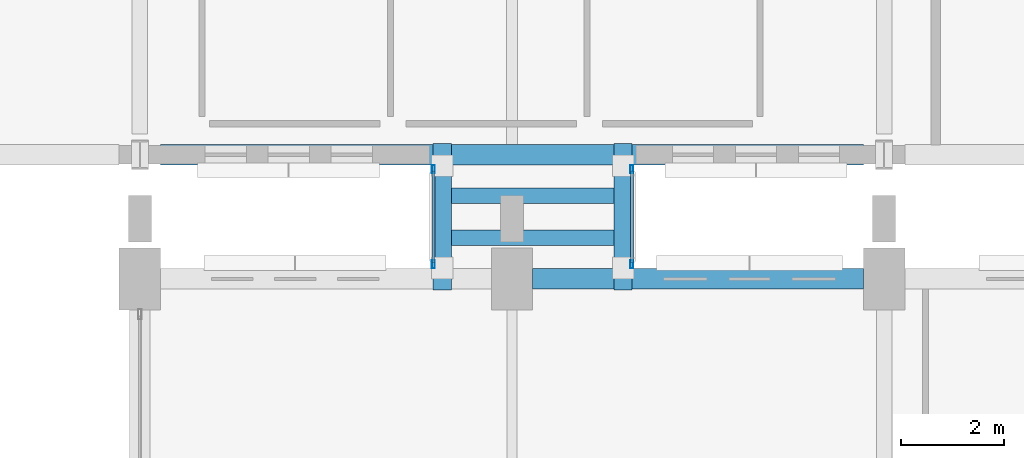
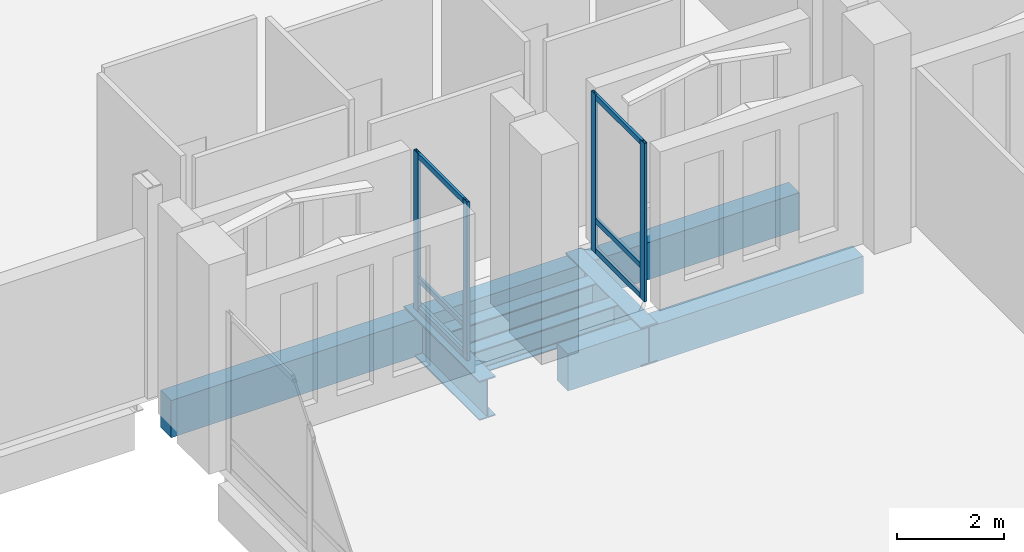
# One storey, part 109 of 220: 10 members, 6 beams, 2 elements without a shape of their own.
"""IFC4 building model written with IfcOpenShell, lengths in metres."""

from ifc_helpers import new_model, si_unit, direction, frame, origin, origin_2d, place, context, subcontext, project, spatial, rectangle, hollow_rectangle, i_section, extrude, material, material_profile, profile_set, type_object, element, aggregate, save


model = new_model("IFC4")

# Units and contexts
model_context = context("Model", 3, precision=1e-05, world=origin(), true_north=direction((0.0, 1.0)))
body_context = subcontext(model_context, "Body", "Model", "MODEL_VIEW")
ifc_project = project(units=[si_unit("LENGTHUNIT", "METRE"), si_unit("AREAUNIT", "SQUARE_METRE"), si_unit("VOLUMEUNIT", "CUBIC_METRE"), si_unit("PLANEANGLEUNIT", "RADIAN"), si_unit("MASSUNIT", "GRAM", prefix="KILO")], contexts=[model_context])

# Site, building, storey
site_placement = place(None, origin())
site = spatial("IfcSite", under=ifc_project, at=site_placement, CompositionType="ELEMENT")
building_placement = place(site_placement, origin())
building = spatial("IfcBuilding", under=site, at=building_placement, Name="Cendralis Lancet Convention Centre", CompositionType="ELEMENT")
storey_placement = place(building_placement, frame((0.0, 0.0, 5.39990234375)))
storey = spatial("IfcBuildingStorey", under=building, at=storey_placement, Name="L01", CompositionType="ELEMENT", Elevation=5.39990234375)

# Curtain wall, members
ifc_material_1 = material(Name="Anodised bronze architectural aluminium", Category="aluminium")
curtain_wall_type = type_object("IfcCurtainWallType", Name="ARC-CW-BR01", PredefinedType="USERDEFINED", material=ifc_material_1)
curtain_wall_1_placement = place(storey_placement, origin())
curtain_wall_1 = element("IfcCurtainWall", 1, at=curtain_wall_1_placement, inside=storey, type_object=curtain_wall_type, Name="L01 Curtain Wall CW-BR1 #197", ObjectType="CURTAIN WALL", PredefinedType="USERDEFINED")
ifc_material_profile_1 = material_profile(ifc_material_1, hollow_rectangle(XDim=0.06005859375, YDim=0.159912109375, WallThickness=0.00390625, at=origin_2d()), Name="AL-MULL 60x160x4.0")
ifc_profile_set_1 = profile_set([ifc_material_profile_1], Name="Anodised bronze architectural aluminium")
member_type_1 = type_object("IfcMemberType", Name="ARC-CW-ML01", PredefinedType="MULLION", material=ifc_profile_set_1)
member_1_placement = place(storey_placement, frame((144.8798828125, 91.47998046875, 0.0), z_axis=(0.0, 0.0, 1.0), x_axis=(1.0, 0.0, 0.0)))
member_1 = element("IfcMember", 2, at=member_1_placement, type_object=member_type_1, Name="Mullion CW2-CW-BR1-L01-197-M0", PredefinedType="MULLION", context=body_context, shape_type="SweptSolid", body=[
    extrude(hollow_rectangle(XDim=0.06005859375, YDim=0.159912109375, WallThickness=0.00390625, at=origin_2d()), origin(), (0.0, 0.0, 1.0), 3.635009765625),
])
member_2_placement = place(storey_placement, frame((144.8798828125, 93.320068359375, 0.0), z_axis=(0.0, 0.0, 1.0), x_axis=(1.0, 0.0, 0.0)))
member_2 = element("IfcMember", 3, at=member_2_placement, type_object=member_type_1, Name="Mullion CW2-CW-BR1-L01-197-M1", PredefinedType="MULLION", context=body_context, shape_type="SweptSolid", body=[
    extrude(hollow_rectangle(XDim=0.06005859375, YDim=0.159912109375, WallThickness=0.00390625, at=origin_2d()), origin(), (0.0, 0.0, 1.0), 3.635009765625),
])

curtain_wall_2_placement = place(storey_placement, origin())
curtain_wall_2 = element("IfcCurtainWall", 4, at=curtain_wall_2_placement, inside=storey, type_object=curtain_wall_type, Name="L01 Curtain Wall CW-BR1 #198", ObjectType="CURTAIN WALL", PredefinedType="USERDEFINED")
member_3_placement = place(storey_placement, frame((148.719970703125, 91.47998046875, 0.0), z_axis=(0.0, 0.0, 1.0), x_axis=(1.0, 0.0, 0.0)))
member_3 = element("IfcMember", 5, at=member_3_placement, type_object=member_type_1, Name="Mullion CW2-CW-BR1-L01-198-M0", PredefinedType="MULLION", context=body_context, shape_type="SweptSolid", body=[
    extrude(hollow_rectangle(XDim=0.06005859375, YDim=0.159912109375, WallThickness=0.00390625, at=origin_2d()), origin(), (0.0, 0.0, 1.0), 3.635009765625),
])
member_4_placement = place(storey_placement, frame((148.719970703125, 93.320068359375, 0.0), z_axis=(0.0, 0.0, 1.0), x_axis=(1.0, 0.0, 0.0)))
member_4 = element("IfcMember", 6, at=member_4_placement, type_object=member_type_1, Name="Mullion CW2-CW-BR1-L01-198-M1", PredefinedType="MULLION", context=body_context, shape_type="SweptSolid", body=[
    extrude(hollow_rectangle(XDim=0.06005859375, YDim=0.159912109375, WallThickness=0.00390625, at=origin_2d()), origin(), (0.0, 0.0, 1.0), 3.635009765625),
])

# Member
ifc_material_profile_2 = material_profile(ifc_material_1, hollow_rectangle(XDim=0.06005859375, YDim=0.1201171875, WallThickness=0.00390625, at=origin_2d()), Name="AL-TRAN 60x120x4.0")
ifc_profile_set_2 = profile_set([ifc_material_profile_2], Name="Anodised bronze architectural aluminium")
member_type_2 = type_object("IfcMemberType", Name="ARC-CW-TR01", PredefinedType="USERDEFINED", material=ifc_profile_set_2)
member_5_placement = place(storey_placement, frame((144.8798828125, 91.510009765625, 0.06005859375), z_axis=(0.0, 1.0, 0.0), x_axis=(-1.0, 0.0, 0.0)))
member_5 = element("IfcMember", 7, at=member_5_placement, type_object=member_type_2, Name="Transom CW2-CW-BR1-L01-197-T0BOT", ObjectType="TRANSOM", PredefinedType="USERDEFINED", context=body_context, shape_type="SweptSolid", body=[
    extrude(hollow_rectangle(XDim=0.06005859375, YDim=0.1201171875, WallThickness=0.00390625, at=origin_2d()), origin(), (0.0, 0.0, 1.0), 1.780029296875),
])

member_6_placement = place(storey_placement, frame((144.8798828125, 91.510009765625, 0.75), z_axis=(0.0, 1.0, 0.0), x_axis=(-1.0, 0.0, 0.0)))
member_6 = element("IfcMember", 8, at=member_6_placement, type_object=member_type_2, Name="Transom CW2-CW-BR1-L01-197-T0MID", ObjectType="TRANSOM", PredefinedType="USERDEFINED", context=body_context, shape_type="SweptSolid", body=[
    extrude(hollow_rectangle(XDim=0.06005859375, YDim=0.1201171875, WallThickness=0.00390625, at=origin_2d()), origin(), (0.0, 0.0, 1.0), 1.780029296875),
])

member_7_placement = place(storey_placement, frame((144.8798828125, 91.510009765625, 3.5751953125), z_axis=(0.0, 1.0, 0.0), x_axis=(-1.0, 0.0, 0.0)))
member_7 = element("IfcMember", 9, at=member_7_placement, type_object=member_type_2, Name="Transom CW2-CW-BR1-L01-197-T0TOP", ObjectType="TRANSOM", PredefinedType="USERDEFINED", context=body_context, shape_type="SweptSolid", body=[
    extrude(hollow_rectangle(XDim=0.06005859375, YDim=0.1201171875, WallThickness=0.00390625, at=origin_2d()), origin(), (0.0, 0.0, 1.0), 1.780029296875),
])

aggregate(curtain_wall_1, [member_1, member_2, member_5, member_6, member_7])

member_8_placement = place(storey_placement, frame((148.719970703125, 91.510009765625, 0.06005859375), z_axis=(0.0, 1.0, 0.0), x_axis=(-1.0, 0.0, 0.0)))
member_8 = element("IfcMember", 10, at=member_8_placement, type_object=member_type_2, Name="Transom CW2-CW-BR1-L01-198-T0BOT", ObjectType="TRANSOM", PredefinedType="USERDEFINED", context=body_context, shape_type="SweptSolid", body=[
    extrude(hollow_rectangle(XDim=0.06005859375, YDim=0.1201171875, WallThickness=0.00390625, at=origin_2d()), origin(), (0.0, 0.0, 1.0), 1.780029296875),
])

member_9_placement = place(storey_placement, frame((148.719970703125, 91.510009765625, 0.75), z_axis=(0.0, 1.0, 0.0), x_axis=(-1.0, 0.0, 0.0)))
member_9 = element("IfcMember", 11, at=member_9_placement, type_object=member_type_2, Name="Transom CW2-CW-BR1-L01-198-T0MID", ObjectType="TRANSOM", PredefinedType="USERDEFINED", context=body_context, shape_type="SweptSolid", body=[
    extrude(hollow_rectangle(XDim=0.06005859375, YDim=0.1201171875, WallThickness=0.00390625, at=origin_2d()), origin(), (0.0, 0.0, 1.0), 1.780029296875),
])

member_10_placement = place(storey_placement, frame((148.719970703125, 91.510009765625, 3.5751953125), z_axis=(0.0, 1.0, 0.0), x_axis=(-1.0, 0.0, 0.0)))
member_10 = element("IfcMember", 12, at=member_10_placement, type_object=member_type_2, Name="Transom CW2-CW-BR1-L01-198-T0TOP", ObjectType="TRANSOM", PredefinedType="USERDEFINED", context=body_context, shape_type="SweptSolid", body=[
    extrude(hollow_rectangle(XDim=0.06005859375, YDim=0.1201171875, WallThickness=0.00390625, at=origin_2d()), origin(), (0.0, 0.0, 1.0), 1.780029296875),
])

aggregate(curtain_wall_2, [member_3, member_4, member_8, member_9, member_10])

# Beams
ifc_material_2 = material(Name="Steel S355", Category="steel")
ifc_material_profile_3 = material_profile(ifc_material_2, i_section(OverallWidth=0.35009765625, OverallDepth=0.89990234375, WebThickness=0.01611328125, FlangeThickness=0.028076171875, at=origin_2d()), Name="PG 900x350")
ifc_profile_set_3 = profile_set([ifc_material_profile_3], Name="Steel S355")
beam_type_1 = type_object("IfcBeamType", Name="STR-BM-SG05", PredefinedType="BEAM", material=ifc_profile_set_3)
for number, where, z_axis, x_axis, name in (
    (13, (145.050048828125, 90.97998046875, -0.669921875), (0.0, 1.0, 0.0), (-1.0, 0.0, 0.0), "L01 Beam SG05 #1888"),
    (14, (148.550048828125, 90.97998046875, -0.669921875), (0.0, 1.0, 0.0), (-1.0, 0.0, 0.0), "L01 Beam SG05 #1889"),
):
    element("IfcBeam", number, at=place(storey_placement, frame(where, z_axis=z_axis, x_axis=x_axis)), inside=storey, type_object=beam_type_1, Name=name, PredefinedType="BEAM", context=body_context, shape_type="SweptSolid", body=[
        extrude(i_section(OverallWidth=0.35009765625, OverallDepth=0.89990234375, WebThickness=0.01611328125, FlangeThickness=0.028076171875, at=origin_2d()), origin(), (0.0, 0.0, 1.0), 2.840087890625),
    ])
ifc_material_profile_4 = material_profile(ifc_material_2, i_section(OverallWidth=0.300048828125, OverallDepth=0.5400390625, WebThickness=0.012451171875, FlangeThickness=0.02392578125, FilletRadius=0.027099609375, at=origin_2d()), Name="HEA 550")
ifc_profile_set_4 = profile_set([ifc_material_profile_4], Name="Steel S355")
beam_type_2 = type_object("IfcBeamType", Name="STR-BM-SG11", PredefinedType="BEAM", material=ifc_profile_set_4)
for number, where, z_axis, x_axis, name in (
    (15, (145.22998046875, 91.991943359375, -0.489990234375), (1.0, 0.0, 0.0), (0.0, 1.0, 0.0), "L01 Beam SG11 #1890"),
    (16, (145.22998046875, 92.80810546875, -0.489990234375), (1.0, 0.0, 0.0), (0.0, 1.0, 0.0), "L01 Beam SG11 #1891"),
):
    element("IfcBeam", number, at=place(storey_placement, frame(where, z_axis=z_axis, x_axis=x_axis)), inside=storey, type_object=beam_type_2, Name=name, PredefinedType="BEAM", context=body_context, shape_type="SweptSolid", body=[
        extrude(i_section(OverallWidth=0.300048828125, OverallDepth=0.5400390625, WebThickness=0.012451171875, FlangeThickness=0.02392578125, FilletRadius=0.027099609375, at=origin_2d()), origin(), (0.0, 0.0, 1.0), 3.14013671875),
    ])
ifc_material_3 = material(Name="Concrete G40 (C40/50)", Category="concrete")
ifc_material_profile_5 = material_profile(ifc_material_3, rectangle(XDim=0.39990234375, YDim=0.85009765625, at=origin_2d()), Name="RCB 400x850")
ifc_profile_set_5 = profile_set([ifc_material_profile_5], Name="Concrete G40 (C40/50)")
beam_type_3 = type_object("IfcBeamType", Name="STR-SP-SP02", PredefinedType="SPANDREL", material=ifc_profile_set_5)
beam_1_placement = place(storey_placement, frame((146.800048828125, 91.199951171875, -0.704833984375), z_axis=(1.0, 0.0, 0.0), x_axis=(0.0, 1.0, 0.0)))
element("IfcBeam", 17, at=beam_1_placement, inside=storey, type_object=beam_type_3, Name="L01 Beam SP02 #1404", PredefinedType="SPANDREL", context=body_context, shape_type="SweptSolid", body=[
    extrude(rectangle(XDim=0.39990234375, YDim=0.85009765625, at=origin_2d()), origin(), (0.0, 0.0, 1.0), 6.39990234375),
])
beam_2_placement = place(storey_placement, frame((139.60009765625, 93.60009765625, -0.704833984375), z_axis=(1.0, 0.0, 0.0), x_axis=(0.0, 1.0, 0.0)))
element("IfcBeam", 18, at=beam_2_placement, inside=storey, type_object=beam_type_3, Name="L01 Beam SP02 #1640", PredefinedType="SPANDREL", context=body_context, shape_type="SweptSolid", body=[
    extrude(rectangle(XDim=0.39990234375, YDim=0.85009765625, at=origin_2d()), origin(), (0.0, 0.0, 1.0), 13.599853515625),
])

save(model, "model.ifc")
